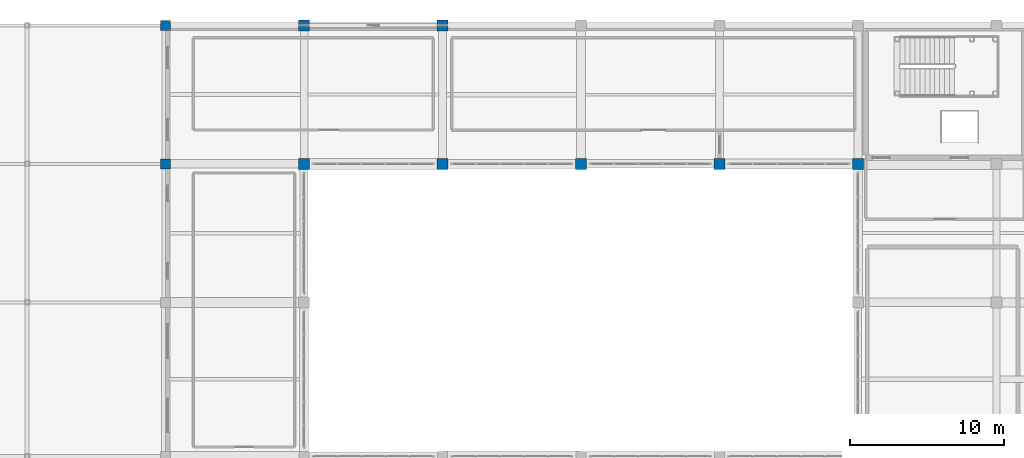
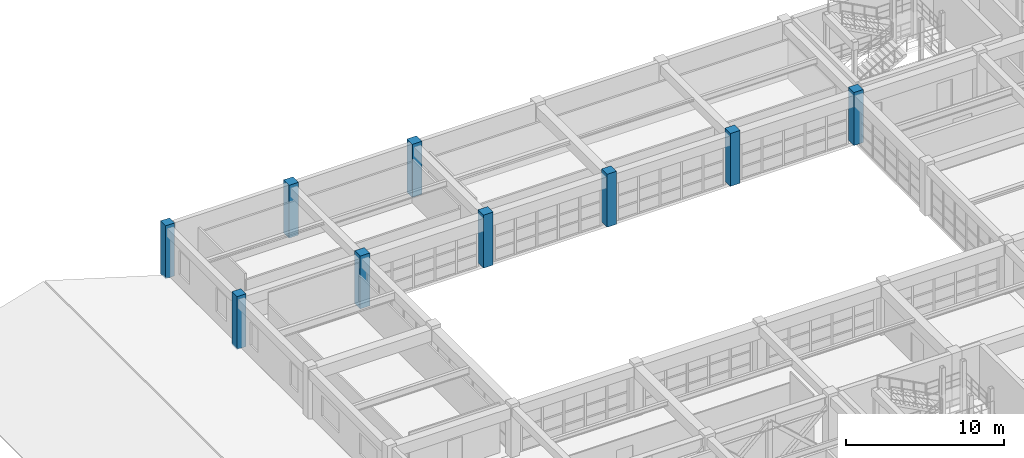
# One storey, part 9 of 130: 9 columns.
"""IFC4 building model written with IfcOpenShell, lengths in metres."""

from ifc_helpers import new_model, si_unit, direction, frame, origin, origin_2d, place, context, subcontext, project, spatial, rectangle, extrude, material, material_profile, profile_set, type_object, element, save


model = new_model("IFC4")

# Units and contexts
model_context = context("Model", 3, precision=1e-05, world=origin(), true_north=direction((0.0, 1.0)))
body_context = subcontext(model_context, "Body", "Model", "MODEL_VIEW")
ifc_project = project(units=[si_unit("LENGTHUNIT", "METRE"), si_unit("AREAUNIT", "SQUARE_METRE"), si_unit("VOLUMEUNIT", "CUBIC_METRE"), si_unit("PLANEANGLEUNIT", "RADIAN"), si_unit("MASSUNIT", "GRAM", prefix="KILO")], contexts=[model_context])

# Site, building, storey
site_placement = place(None, origin())
site = spatial("IfcSite", under=ifc_project, at=site_placement, CompositionType="ELEMENT")
building_placement = place(site_placement, origin())
building = spatial("IfcBuilding", under=site, at=building_placement, Name="Miravela Opera House", CompositionType="ELEMENT")
storey_placement = place(building_placement, frame((0.0, 0.0, 9.52001953125)))
storey = spatial("IfcBuildingStorey", under=building, at=storey_placement, Name="L02", CompositionType="ELEMENT", Elevation=9.52001953125)

# Columns
ifc_material = material(Name="Concrete C35/45", Category="concrete")
ifc_material_profile_1 = material_profile(ifc_material, rectangle(XDim=0.64990234375, YDim=0.64990234375, at=origin_2d()), Name="RC-COL-650X650")
ifc_profile_set_1 = profile_set([ifc_material_profile_1])
column_type_1 = type_object("IfcColumnType", Name="STR-COL-RC650", PredefinedType="COLUMN", material=ifc_profile_set_1)
for number, where, z_axis, x_axis, name in (
    (1, (18.0, 103.0, 0.0), (0.0, 0.0, 1.0), (1.0, 0.0, 0.0), "Column C-3L (L02)"),
    (2, (18.0, 112.0, 0.0), (0.0, 0.0, 1.0), (1.0, 0.0, 0.0), "Column C-3M (L02)"),
):
    element("IfcColumn", number, at=place(storey_placement, frame(where, z_axis=z_axis, x_axis=x_axis)), inside=storey, type_object=column_type_1, Name=name, PredefinedType="COLUMN", context=body_context, shape_type="SweptSolid", body=[
        extrude(rectangle(XDim=0.64990234375, YDim=0.64990234375, at=origin_2d()), origin(), (0.0, 0.0, 1.0), 4.080078125),
    ])
ifc_material_profile_2 = material_profile(ifc_material, rectangle(XDim=0.699951171875, YDim=0.699951171875, at=origin_2d()), Name="RC-COL-700X700")
ifc_profile_set_2 = profile_set([ifc_material_profile_2])
column_type_2 = type_object("IfcColumnType", Name="STR-COL-RC700", PredefinedType="COLUMN", material=ifc_profile_set_2)
for number, where, z_axis, x_axis, name in (
    (3, (27.0, 103.0, 0.0), (0.0, 0.0, 1.0), (1.0, 0.0, 0.0), "Column C-4L (L02)"),
    (4, (27.0, 112.0, 0.0), (0.0, 0.0, 1.0), (1.0, 0.0, 0.0), "Column C-4M (L02)"),
    (5, (36.0, 103.0, 0.0), (0.0, 0.0, 1.0), (1.0, 0.0, 0.0), "Column C-5L (L02)"),
    (6, (36.0, 112.0, 0.0), (0.0, 0.0, 1.0), (1.0, 0.0, 0.0), "Column C-5M (L02)"),
    (7, (45.0, 103.0, 0.0), (0.0, 0.0, 1.0), (1.0, 0.0, 0.0), "Column C-6L (L02)"),
    (8, (54.0, 103.0, 0.0), (0.0, 0.0, 1.0), (1.0, 0.0, 0.0), "Column C-7L (L02)"),
    (9, (63.0, 103.0, 0.0), (0.0, 0.0, 1.0), (1.0, 0.0, 0.0), "Column C-8L (L02)"),
):
    element("IfcColumn", number, at=place(storey_placement, frame(where, z_axis=z_axis, x_axis=x_axis)), inside=storey, type_object=column_type_2, Name=name, PredefinedType="COLUMN", context=body_context, shape_type="SweptSolid", body=[
        extrude(rectangle(XDim=0.699951171875, YDim=0.699951171875, at=origin_2d()), origin(), (0.0, 0.0, 1.0), 4.080078125),
    ])

save(model, "model.ifc")
